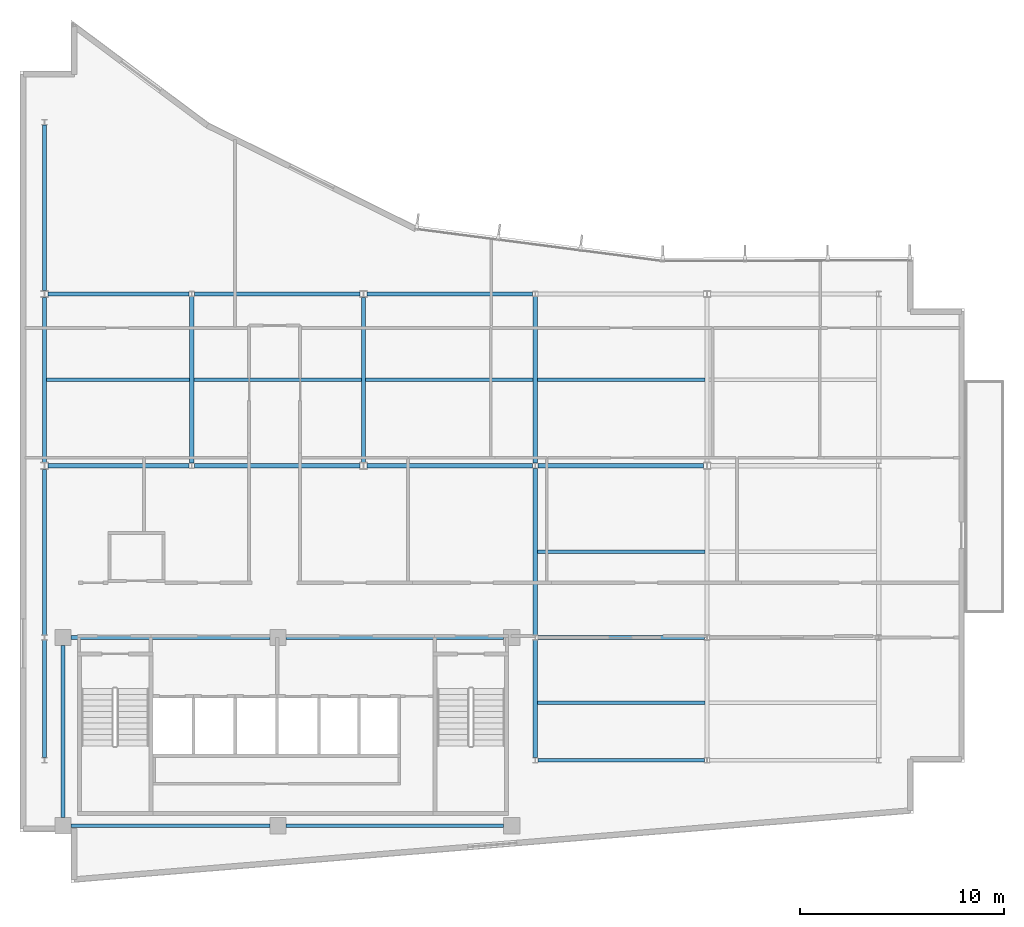
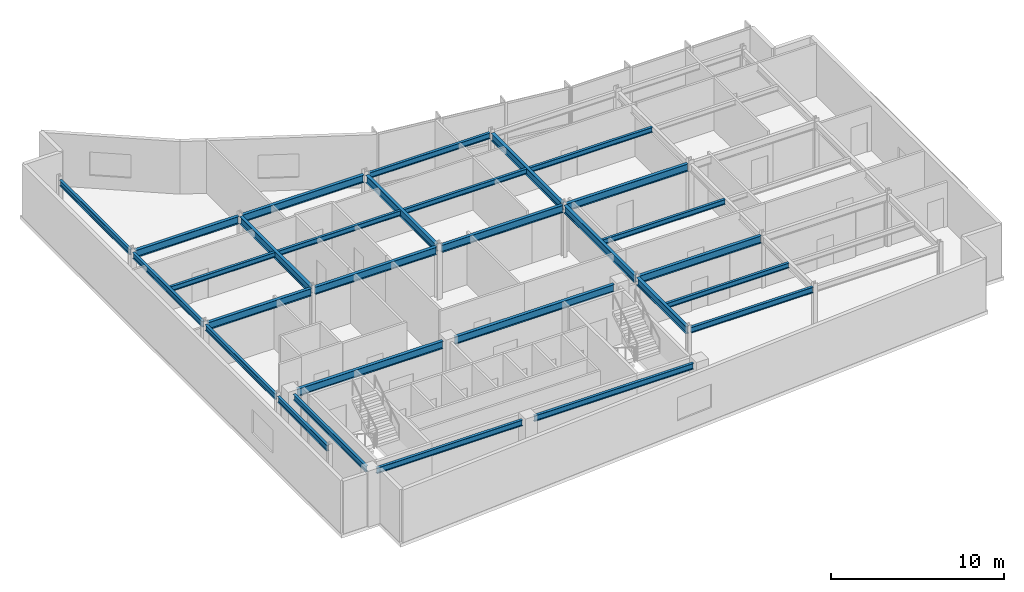
# One storey, part 5 of 15: 29 beams.
"""IFC4 building model written with IfcOpenShell, lengths in metres."""

from ifc_helpers import new_model, si_unit, direction, frame, origin, origin_2d, place, context, subcontext, project, spatial, i_section, extrude, material, material_profile, profile_set, type_object, element, save


model = new_model("IFC4")

# Units and contexts
model_context = context("Model", 3, precision=1e-05, world=origin(), true_north=direction((0.0, 1.0)))
body_context = subcontext(model_context, "Body", "Model", "MODEL_VIEW")
ifc_project = project(units=[si_unit("LENGTHUNIT", "METRE"), si_unit("AREAUNIT", "SQUARE_METRE"), si_unit("VOLUMEUNIT", "CUBIC_METRE"), si_unit("PLANEANGLEUNIT", "RADIAN"), si_unit("MASSUNIT", "GRAM", prefix="KILO")], contexts=[model_context])

# Site, building, storey
site_placement = place(None, origin())
site = spatial("IfcSite", under=ifc_project, at=site_placement, CompositionType="ELEMENT")
building_placement = place(site_placement, origin())
building = spatial("IfcBuilding", under=site, at=building_placement, Name="Varnakote Quay Hospital", CompositionType="ELEMENT")
storey_placement = place(building_placement, frame((0.0, 0.0, 252.60009765625)))
storey = spatial("IfcBuildingStorey", under=building, at=storey_placement, Name="L62", CompositionType="ELEMENT", Elevation=252.60009765625)

# Beams
ifc_material_1 = material(Name="Structural steel AS/NZS 3679.1 Grade 350 L0 (fy 340 MPa)", Category="steel")
ifc_material_profile_1 = material_profile(ifc_material_1, i_section(OverallWidth=0.208984375, OverallDepth=0.528076171875, WebThickness=0.009521484375, FlangeThickness=0.01318359375, FilletRadius=0.013916015625, at=origin_2d()), Name="530UB82.0")
ifc_profile_set_1 = profile_set([ifc_material_profile_1], Name="Structural steel AS/NZS 3679.1 Grade 350 L0 (fy 340 MPa)")
beam_type_1 = type_object("IfcBeamType", Name="BM-STL-530UB82-0", PredefinedType="BEAM", material=ifc_profile_set_1)
beam_1_placement = place(storey_placement, frame((2.5, 12.0, 3.44580078125), z_axis=(1.0, 0.0, 0.0), x_axis=(0.0, 1.0, 0.0)))
element("IfcBeam", 1, at=beam_1_placement, inside=storey, type_object=beam_type_1, Name="L62 Primary Floor Beam", PredefinedType="BEAM", context=body_context, shape_type="SweptSolid", body=[
    extrude(i_section(OverallWidth=0.208984375, OverallDepth=0.528076171875, WebThickness=0.009521484375, FlangeThickness=0.01318359375, FilletRadius=0.013916015625, at=origin_2d()), origin(), (0.0, 0.0, 1.0), 9.719970703125),
])
beam_2_placement = place(storey_placement, frame((13.02001953125, 12.0, 3.44580078125), z_axis=(1.0, 0.0, 0.0), x_axis=(0.0, 1.0, 0.0)))
element("IfcBeam", 2, at=beam_2_placement, inside=storey, type_object=beam_type_1, Name="L62 Primary Floor Beam", PredefinedType="BEAM", context=body_context, shape_type="SweptSolid", body=[
    extrude(i_section(OverallWidth=0.208984375, OverallDepth=0.528076171875, WebThickness=0.009521484375, FlangeThickness=0.01318359375, FilletRadius=0.013916015625, at=origin_2d()), origin(), (0.0, 0.0, 1.0), 10.6298828125),
])
beam_3_placement = place(storey_placement, frame((25.326904296875, 12.0, 3.44580078125), z_axis=(1.0, 0.0, 0.0), x_axis=(0.0, 1.0, 0.0)))
element("IfcBeam", 3, at=beam_3_placement, inside=storey, type_object=beam_type_1, Name="L62 Primary Floor Beam", PredefinedType="BEAM", context=body_context, shape_type="SweptSolid", body=[
    extrude(i_section(OverallWidth=0.208984375, OverallDepth=0.528076171875, WebThickness=0.009521484375, FlangeThickness=0.01318359375, FilletRadius=0.013916015625, at=origin_2d()), origin(), (0.0, 0.0, 1.0), 8.14599609375),
])
beam_4_placement = place(storey_placement, frame((1.375, 20.39990234375, 3.44580078125), z_axis=(1.0, 0.0, 0.0), x_axis=(0.0, 1.0, 0.0)))
element("IfcBeam", 4, at=beam_4_placement, inside=storey, type_object=beam_type_1, Name="L62 Primary Floor Beam", PredefinedType="BEAM", context=body_context, shape_type="SweptSolid", body=[
    extrude(i_section(OverallWidth=0.208984375, OverallDepth=0.528076171875, WebThickness=0.009521484375, FlangeThickness=0.01318359375, FilletRadius=0.013916015625, at=origin_2d()), origin(), (0.0, 0.0, 1.0), 6.89794921875),
])
for number, where, z_axis, x_axis, name in (
    (5, (8.527099609375, 20.39990234375, 3.44580078125), (1.0, 0.0, 0.0), (0.0, 1.0, 0.0), "L62 Primary Floor Beam"),
    (6, (16.97509765625, 20.39990234375, 3.44580078125), (1.0, 0.0, 0.0), (0.0, 1.0, 0.0), "L62 Primary Floor Beam"),
):
    element("IfcBeam", number, at=place(storey_placement, frame(where, z_axis=z_axis, x_axis=x_axis)), inside=storey, type_object=beam_type_1, Name=name, PredefinedType="BEAM", context=body_context, shape_type="SweptSolid", body=[
        extrude(i_section(OverallWidth=0.208984375, OverallDepth=0.528076171875, WebThickness=0.009521484375, FlangeThickness=0.01318359375, FilletRadius=0.013916015625, at=origin_2d()), origin(), (0.0, 0.0, 1.0), 8.097900390625),
    ])
beam_5_placement = place(storey_placement, frame((25.326904296875, 20.39990234375, 3.44580078125), z_axis=(1.0, 0.0, 0.0), x_axis=(0.0, 1.0, 0.0)))
element("IfcBeam", 7, at=beam_5_placement, inside=storey, type_object=beam_type_1, Name="L62 Primary Floor Beam", PredefinedType="BEAM", context=body_context, shape_type="SweptSolid", body=[
    extrude(i_section(OverallWidth=0.208984375, OverallDepth=0.528076171875, WebThickness=0.009521484375, FlangeThickness=0.01318359375, FilletRadius=0.013916015625, at=origin_2d()), origin(), (0.0, 0.0, 1.0), 8.09814453125),
])
beam_6_placement = place(storey_placement, frame((1.375, 28.800048828125, 3.44580078125), z_axis=(1.0, 0.0, 0.0), x_axis=(0.0, 1.0, 0.0)))
element("IfcBeam", 8, at=beam_6_placement, inside=storey, type_object=beam_type_1, Name="L62 Primary Floor Beam", PredefinedType="BEAM", context=body_context, shape_type="SweptSolid", body=[
    extrude(i_section(OverallWidth=0.208984375, OverallDepth=0.528076171875, WebThickness=0.009521484375, FlangeThickness=0.01318359375, FilletRadius=0.013916015625, at=origin_2d()), origin(), (0.0, 0.0, 1.0), 6.89794921875),
])
beam_7_placement = place(storey_placement, frame((8.527099609375, 28.800048828125, 3.44580078125), z_axis=(1.0, 0.0, 0.0), x_axis=(0.0, 1.0, 0.0)))
element("IfcBeam", 9, at=beam_7_placement, inside=storey, type_object=beam_type_1, Name="L62 Primary Floor Beam", PredefinedType="BEAM", context=body_context, shape_type="SweptSolid", body=[
    extrude(i_section(OverallWidth=0.208984375, OverallDepth=0.528076171875, WebThickness=0.009521484375, FlangeThickness=0.01318359375, FilletRadius=0.013916015625, at=origin_2d()), origin(), (0.0, 0.0, 1.0), 8.097900390625),
])
beam_8_placement = place(storey_placement, frame((8.39990234375, 20.527099609375, 3.44580078125), z_axis=(0.0, 1.0, 0.0), x_axis=(-1.0, 0.0, 0.0)))
element("IfcBeam", 10, at=beam_8_placement, inside=storey, type_object=beam_type_1, Name="L62 Primary Tie Beam", PredefinedType="BEAM", context=body_context, shape_type="SweptSolid", body=[
    extrude(i_section(OverallWidth=0.208984375, OverallDepth=0.528076171875, WebThickness=0.009521484375, FlangeThickness=0.01318359375, FilletRadius=0.013916015625, at=origin_2d()), origin(), (0.0, 0.0, 1.0), 8.14599609375),
])
beam_9_placement = place(storey_placement, frame((16.800048828125, 20.570068359375, 3.44580078125), z_axis=(0.0, 1.0, 0.0), x_axis=(-1.0, 0.0, 0.0)))
element("IfcBeam", 11, at=beam_9_placement, inside=storey, type_object=beam_type_1, Name="L62 Primary Tie Beam", PredefinedType="BEAM", context=body_context, shape_type="SweptSolid", body=[
    extrude(i_section(OverallWidth=0.208984375, OverallDepth=0.528076171875, WebThickness=0.009521484375, FlangeThickness=0.01318359375, FilletRadius=0.013916015625, at=origin_2d()), origin(), (0.0, 0.0, 1.0), 8.059814453125),
])
beam_10_placement = place(storey_placement, frame((25.199951171875, 6.126953125, 3.44580078125), z_axis=(0.0, 1.0, 0.0), x_axis=(-1.0, 0.0, 0.0)))
element("IfcBeam", 12, at=beam_10_placement, inside=storey, type_object=beam_type_1, Name="L62 Primary Tie Beam", PredefinedType="BEAM", context=body_context, shape_type="SweptSolid", body=[
    extrude(i_section(OverallWidth=0.208984375, OverallDepth=0.528076171875, WebThickness=0.009521484375, FlangeThickness=0.01318359375, FilletRadius=0.013916015625, at=origin_2d()), origin(), (0.0, 0.0, 1.0), 5.74609375),
])
for number, where, z_axis, x_axis, name in (
    (13, (25.199951171875, 12.126953125, 3.44580078125), (0.0, 1.0, 0.0), (-1.0, 0.0, 0.0), "L62 Primary Tie Beam"),
    (14, (25.199951171875, 20.527099609375, 3.44580078125), (0.0, 1.0, 0.0), (-1.0, 0.0, 0.0), "L62 Primary Tie Beam"),
):
    element("IfcBeam", number, at=place(storey_placement, frame(where, z_axis=z_axis, x_axis=x_axis)), inside=storey, type_object=beam_type_1, Name=name, PredefinedType="BEAM", context=body_context, shape_type="SweptSolid", body=[
        extrude(i_section(OverallWidth=0.208984375, OverallDepth=0.528076171875, WebThickness=0.009521484375, FlangeThickness=0.01318359375, FilletRadius=0.013916015625, at=origin_2d()), origin(), (0.0, 0.0, 1.0), 8.14599609375),
    ])
ifc_material_2 = material(Name="Structural steel AS/NZS 3679.1 Grade 350 L0 (fy 340 MPa)", Category="steel")
ifc_material_profile_2 = material_profile(ifc_material_2, i_section(OverallWidth=0.1708984375, OverallDepth=0.35595703125, WebThickness=0.00732421875, FlangeThickness=0.011474609375, FilletRadius=0.011474609375, at=origin_2d()), Name="360UB50.7")
ifc_profile_set_2 = profile_set([ifc_material_profile_2], Name="Structural steel AS/NZS 3679.1 Grade 350 L0 (fy 340 MPa)")
beam_type_2 = type_object("IfcBeamType", Name="JST-STL-360UB50-7", PredefinedType="JOIST", material=ifc_profile_set_2)
for number, where, z_axis, x_axis, name in (
    (15, (25.304443359375, 8.800048828125, 3.531982421875), (1.0, 0.0, 0.0), (0.0, 1.0, 0.0), "L62 Composite Floor Joist"),
    (16, (25.304443359375, 16.199951171875, 3.531982421875), (1.0, 0.0, 0.0), (0.0, 1.0, 0.0), "L62 Composite Floor Joist"),
):
    element("IfcBeam", number, at=place(storey_placement, frame(where, z_axis=z_axis, x_axis=x_axis)), inside=storey, type_object=beam_type_2, Name=name, PredefinedType="JOIST", context=body_context, shape_type="SweptSolid", body=[
        extrude(i_section(OverallWidth=0.1708984375, OverallDepth=0.35595703125, WebThickness=0.00732421875, FlangeThickness=0.011474609375, FilletRadius=0.011474609375, at=origin_2d()), origin(), (0.0, 0.0, 1.0), 8.191162109375),
    ])
beam_11_placement = place(storey_placement, frame((1.2890625, 24.60009765625, 3.531982421875), z_axis=(1.0, 0.0, 0.0), x_axis=(0.0, 1.0, 0.0)))
element("IfcBeam", 17, at=beam_11_placement, inside=storey, type_object=beam_type_2, Name="L62 Composite Floor Joist", PredefinedType="JOIST", context=body_context, shape_type="SweptSolid", body=[
    extrude(i_section(OverallWidth=0.1708984375, OverallDepth=0.35595703125, WebThickness=0.00732421875, FlangeThickness=0.011474609375, FilletRadius=0.011474609375, at=origin_2d()), origin(), (0.0, 0.0, 1.0), 7.00634765625),
])
beam_12_placement = place(storey_placement, frame((8.50439453125, 24.60009765625, 3.531982421875), z_axis=(1.0, 0.0, 0.0), x_axis=(0.0, 1.0, 0.0)))
element("IfcBeam", 18, at=beam_12_placement, inside=storey, type_object=beam_type_2, Name="L62 Composite Floor Joist", PredefinedType="JOIST", context=body_context, shape_type="SweptSolid", body=[
    extrude(i_section(OverallWidth=0.1708984375, OverallDepth=0.35595703125, WebThickness=0.00732421875, FlangeThickness=0.011474609375, FilletRadius=0.011474609375, at=origin_2d()), origin(), (0.0, 0.0, 1.0), 8.191162109375),
])
beam_13_placement = place(storey_placement, frame((16.904541015625, 24.60009765625, 3.531982421875), z_axis=(1.0, 0.0, 0.0), x_axis=(0.0, 1.0, 0.0)))
element("IfcBeam", 19, at=beam_13_placement, inside=storey, type_object=beam_type_2, Name="L62 Composite Floor Joist", PredefinedType="JOIST", context=body_context, shape_type="SweptSolid", body=[
    extrude(i_section(OverallWidth=0.1708984375, OverallDepth=0.35595703125, WebThickness=0.00732421875, FlangeThickness=0.011474609375, FilletRadius=0.011474609375, at=origin_2d()), origin(), (0.0, 0.0, 1.0), 8.19091796875),
])
beam_14_placement = place(storey_placement, frame((25.304443359375, 24.60009765625, 3.531982421875), z_axis=(1.0, 0.0, 0.0), x_axis=(0.0, 1.0, 0.0)))
element("IfcBeam", 20, at=beam_14_placement, inside=storey, type_object=beam_type_2, Name="L62 Composite Floor Joist", PredefinedType="JOIST", context=body_context, shape_type="SweptSolid", body=[
    extrude(i_section(OverallWidth=0.1708984375, OverallDepth=0.35595703125, WebThickness=0.00732421875, FlangeThickness=0.011474609375, FilletRadius=0.011474609375, at=origin_2d()), origin(), (0.0, 0.0, 1.0), 8.191162109375),
])
ifc_material_3 = material(Name="Structural steel AS/NZS 3679.1 Grade 350 L0 (fy 340 MPa)", Category="steel")
ifc_material_profile_3 = material_profile(ifc_material_3, i_section(OverallWidth=0.177978515625, OverallDepth=0.403076171875, WebThickness=0.007568359375, FlangeThickness=0.010986328125, FilletRadius=0.011474609375, at=origin_2d()), Name="410UB53.7")
ifc_profile_set_3 = profile_set([ifc_material_profile_3], Name="Structural steel AS/NZS 3679.1 Grade 350 L0 (fy 340 MPa)")
beam_type_3 = type_object("IfcBeamType", Name="SPN-STL-410UB53-7", PredefinedType="SPANDREL", material=ifc_profile_set_3)
beam_15_placement = place(storey_placement, frame((1.199951171875, 6.126953125, 3.50830078125), z_axis=(0.0, 1.0, 0.0), x_axis=(-1.0, 0.0, 0.0)))
element("IfcBeam", 21, at=beam_15_placement, inside=storey, type_object=beam_type_3, Name="L62 Perimeter Spandrel Beam", PredefinedType="SPANDREL", context=body_context, shape_type="SweptSolid", body=[
    extrude(i_section(OverallWidth=0.177978515625, OverallDepth=0.403076171875, WebThickness=0.007568359375, FlangeThickness=0.010986328125, FilletRadius=0.011474609375, at=origin_2d()), origin(), (0.0, 0.0, 1.0), 5.74609375),
])
beam_16_placement = place(storey_placement, frame((1.199951171875, 12.126953125, 3.50830078125), z_axis=(0.0, 1.0, 0.0), x_axis=(-1.0, 0.0, 0.0)))
element("IfcBeam", 22, at=beam_16_placement, inside=storey, type_object=beam_type_3, Name="L62 Perimeter Spandrel Beam", PredefinedType="SPANDREL", context=body_context, shape_type="SweptSolid", body=[
    extrude(i_section(OverallWidth=0.177978515625, OverallDepth=0.403076171875, WebThickness=0.007568359375, FlangeThickness=0.010986328125, FilletRadius=0.011474609375, at=origin_2d()), origin(), (0.0, 0.0, 1.0), 8.10302734375),
])
beam_17_placement = place(storey_placement, frame((1.199951171875, 20.570068359375, 3.50830078125), z_axis=(0.0, 1.0, 0.0), x_axis=(-1.0, 0.0, 0.0)))
element("IfcBeam", 23, at=beam_17_placement, inside=storey, type_object=beam_type_3, Name="L62 Perimeter Spandrel Beam", PredefinedType="SPANDREL", context=body_context, shape_type="SweptSolid", body=[
    extrude(i_section(OverallWidth=0.177978515625, OverallDepth=0.403076171875, WebThickness=0.007568359375, FlangeThickness=0.010986328125, FilletRadius=0.011474609375, at=origin_2d()), origin(), (0.0, 0.0, 1.0), 8.059814453125),
])
beam_18_placement = place(storey_placement, frame((1.199951171875, 28.969970703125, 3.50830078125), z_axis=(0.0, 1.0, 0.0), x_axis=(-1.0, 0.0, 0.0)))
element("IfcBeam", 24, at=beam_18_placement, inside=storey, type_object=beam_type_3, Name="L62 Perimeter Spandrel Beam", PredefinedType="SPANDREL", context=body_context, shape_type="SweptSolid", body=[
    extrude(i_section(OverallWidth=0.177978515625, OverallDepth=0.403076171875, WebThickness=0.007568359375, FlangeThickness=0.010986328125, FilletRadius=0.011474609375, at=origin_2d()), origin(), (0.0, 0.0, 1.0), 8.10302734375),
])
beam_19_placement = place(storey_placement, frame((2.10009765625, 3.199951171875, 3.50830078125), z_axis=(0.0, 1.0, 0.0), x_axis=(-1.0, 0.0, 0.0)))
element("IfcBeam", 25, at=beam_19_placement, inside=storey, type_object=beam_type_3, Name="L62 Perimeter Spandrel Beam", PredefinedType="SPANDREL", context=body_context, shape_type="SweptSolid", body=[
    extrude(i_section(OverallWidth=0.177978515625, OverallDepth=0.403076171875, WebThickness=0.007568359375, FlangeThickness=0.010986328125, FilletRadius=0.011474609375, at=origin_2d()), origin(), (0.0, 0.0, 1.0), 8.400146484375),
])
ifc_material_4 = material(Name="Structural steel AS/NZS 3679.1 Grade 350 L0 (fy 340 MPa)", Category="steel")
ifc_material_profile_4 = material_profile(ifc_material_4, i_section(OverallWidth=0.177978515625, OverallDepth=0.406005859375, WebThickness=0.0078125, FlangeThickness=0.0126953125, FilletRadius=0.011474609375, at=origin_2d()), Name="410UB59.7")
ifc_profile_set_4 = profile_set([ifc_material_profile_4], Name="Structural steel AS/NZS 3679.1 Grade 350 L0 (fy 340 MPa)")
beam_type_4 = type_object("IfcBeamType", Name="SPN-STL-410UB59-7", PredefinedType="SPANDREL", material=ifc_profile_set_4)
beam_20_placement = place(storey_placement, frame((2.5, 2.800048828125, 3.5068359375), z_axis=(1.0, 0.0, 0.0), x_axis=(0.0, 1.0, 0.0)))
element("IfcBeam", 26, at=beam_20_placement, inside=storey, type_object=beam_type_4, Name="L62 Perimeter Spandrel Beam", PredefinedType="SPANDREL", context=body_context, shape_type="SweptSolid", body=[
    extrude(i_section(OverallWidth=0.177978515625, OverallDepth=0.406005859375, WebThickness=0.0078125, FlangeThickness=0.0126953125, FilletRadius=0.011474609375, at=origin_2d()), origin(), (0.0, 0.0, 1.0), 9.719970703125),
])
beam_21_placement = place(storey_placement, frame((13.02001953125, 2.800048828125, 3.5068359375), z_axis=(1.0, 0.0, 0.0), x_axis=(0.0, 1.0, 0.0)))
element("IfcBeam", 27, at=beam_21_placement, inside=storey, type_object=beam_type_4, Name="L62 Perimeter Spandrel Beam", PredefinedType="SPANDREL", context=body_context, shape_type="SweptSolid", body=[
    extrude(i_section(OverallWidth=0.177978515625, OverallDepth=0.406005859375, WebThickness=0.0078125, FlangeThickness=0.0126953125, FilletRadius=0.011474609375, at=origin_2d()), origin(), (0.0, 0.0, 1.0), 10.6298828125),
])
beam_22_placement = place(storey_placement, frame((25.326904296875, 6.0, 3.5068359375), z_axis=(1.0, 0.0, 0.0), x_axis=(0.0, 1.0, 0.0)))
element("IfcBeam", 28, at=beam_22_placement, inside=storey, type_object=beam_type_4, Name="L62 Perimeter Spandrel Beam", PredefinedType="SPANDREL", context=body_context, shape_type="SweptSolid", body=[
    extrude(i_section(OverallWidth=0.177978515625, OverallDepth=0.406005859375, WebThickness=0.0078125, FlangeThickness=0.0126953125, FilletRadius=0.011474609375, at=origin_2d()), origin(), (0.0, 0.0, 1.0), 8.14599609375),
])
beam_23_placement = place(storey_placement, frame((16.97509765625, 28.800048828125, 3.5068359375), z_axis=(1.0, 0.0, 0.0), x_axis=(0.0, 1.0, 0.0)))
element("IfcBeam", 29, at=beam_23_placement, inside=storey, type_object=beam_type_4, Name="L62 Perimeter Spandrel Beam", PredefinedType="SPANDREL", context=body_context, shape_type="SweptSolid", body=[
    extrude(i_section(OverallWidth=0.177978515625, OverallDepth=0.406005859375, WebThickness=0.0078125, FlangeThickness=0.0126953125, FilletRadius=0.011474609375, at=origin_2d()), origin(), (0.0, 0.0, 1.0), 8.097900390625),
])

save(model, "model.ifc")
